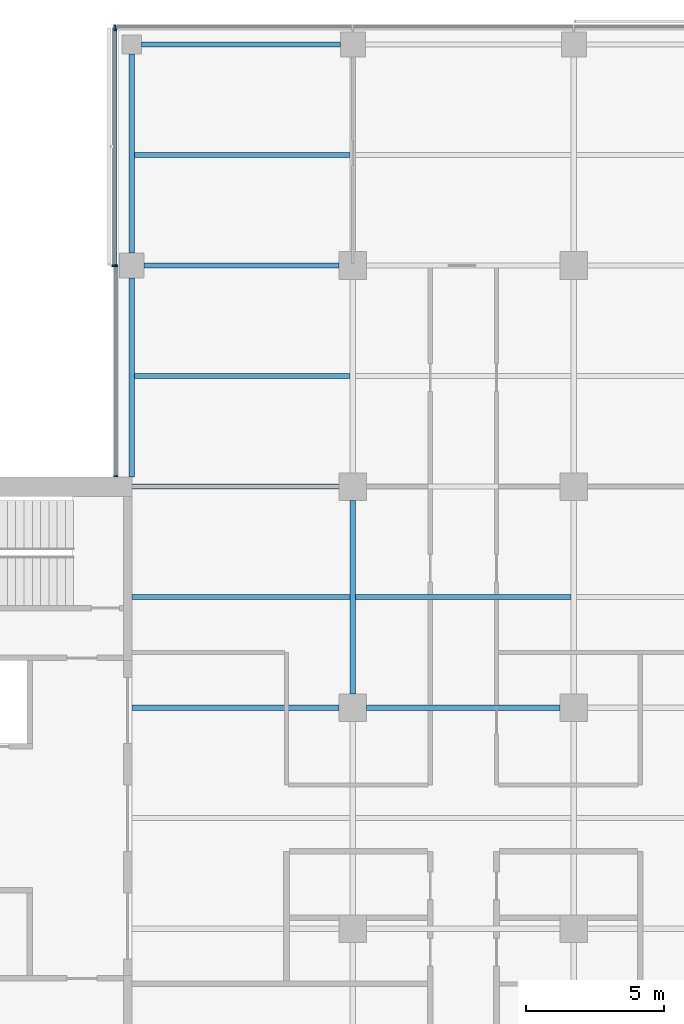
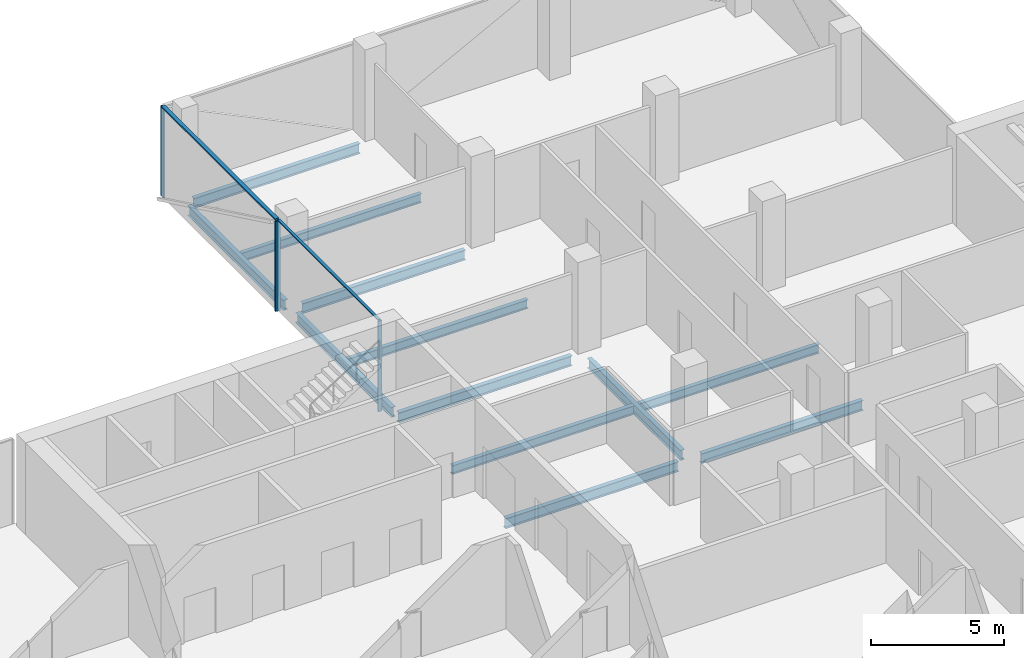
# One storey, part 8 of 22: 12 beams, 6 members, 3 elements without a shape of their own.
"""IFC4 building model written with IfcOpenShell, lengths in metres."""

from ifc_helpers import new_model, si_unit, direction, frame, origin, origin_2d, place, context, subcontext, project, spatial, rectangle, i_section, extrude, material, material_profile, profile_set, type_object, element, aggregate, save


model = new_model("IFC4")

# Units and contexts
model_context = context("Model", 3, precision=1e-05, world=origin(), true_north=direction((0.0, 1.0)))
body_context = subcontext(model_context, "Body", "Model", "MODEL_VIEW")
ifc_project = project(units=[si_unit("LENGTHUNIT", "METRE"), si_unit("AREAUNIT", "SQUARE_METRE"), si_unit("VOLUMEUNIT", "CUBIC_METRE"), si_unit("PLANEANGLEUNIT", "RADIAN"), si_unit("MASSUNIT", "GRAM", prefix="KILO")], contexts=[model_context])

# Site, building, storey
site_placement = place(None, origin())
site = spatial("IfcSite", under=ifc_project, at=site_placement, CompositionType="ELEMENT")
building_placement = place(site_placement, origin())
building = spatial("IfcBuilding", under=site, at=building_placement, Name="Crosswind Convention Tower", CompositionType="ELEMENT")
storey_placement = place(building_placement, frame((0.0, 0.0, 154.699951171875)))
storey = spatial("IfcBuildingStorey", under=building, at=storey_placement, Name="L32", CompositionType="ELEMENT", Elevation=154.699951171875)

# Beams
ifc_material_1 = material(Name="Steel S355", Category="steel")
ifc_material_profile_1 = material_profile(ifc_material_1, i_section(OverallWidth=0.18994140625, OverallDepth=0.45361328125, WebThickness=0.008544921875, FlangeThickness=0.0126953125, FilletRadius=0.01025390625, at=origin_2d()), Name="UB 457x191x67")
ifc_profile_set_1 = profile_set([ifc_material_profile_1], Name="Steel S355")
beam_type_1 = type_object("IfcBeamType", Name="Edge beam UB 457x191x67", PredefinedType="SPANDREL", material=ifc_profile_set_1)
for number, where, z_axis, x_axis, name in (
    (1, (113.0, 112.35009765625, -0.52685546875), (0.0, 1.0, 0.0), (-1.0, 0.0, 0.0), "B16 L32 edge beam 8"),
    (2, (113.0, 120.449951171875, -0.52685546875), (0.0, 1.0, 0.0), (-1.0, 0.0, 0.0), "B16 L32 edge beam 9"),
    (3, (113.35009765625, 128.0, -0.52685546875), (1.0, 0.0, 0.0), (0.0, 1.0, 0.0), "B16 L32 edge beam 11"),
):
    element("IfcBeam", number, at=place(storey_placement, frame(where, z_axis=z_axis, x_axis=x_axis)), inside=storey, type_object=beam_type_1, Name=name, PredefinedType="SPANDREL", context=body_context, shape_type="SweptSolid", body=[
        extrude(i_section(OverallWidth=0.18994140625, OverallDepth=0.45361328125, WebThickness=0.008544921875, FlangeThickness=0.0126953125, FilletRadius=0.01025390625, at=origin_2d()), origin(), (0.0, 0.0, 1.0), 7.199951171875),
    ])
ifc_material_profile_2 = material_profile(ifc_material_1, i_section(OverallWidth=0.19140625, OverallDepth=0.460205078125, WebThickness=0.010009765625, FlangeThickness=0.01611328125, FilletRadius=0.01025390625, at=origin_2d()), Name="UB 457x191x82")
ifc_profile_set_2 = profile_set([ifc_material_profile_2], Name="Steel S355")
beam_type_2 = type_object("IfcBeamType", Name="Girder UB 457x191x82", PredefinedType="BEAM", material=ifc_profile_set_2)
beam_1_placement = place(storey_placement, frame((113.449951171875, 120.0, -0.530029296875), z_axis=(1.0, 0.0, 0.0), x_axis=(0.0, 1.0, 0.0)))
element("IfcBeam", 4, at=beam_1_placement, inside=storey, type_object=beam_type_2, Name="B3 L32 girder 2", PredefinedType="BEAM", context=body_context, shape_type="SweptSolid", body=[
    extrude(i_section(OverallWidth=0.19140625, OverallDepth=0.460205078125, WebThickness=0.010009765625, FlangeThickness=0.01611328125, FilletRadius=0.01025390625, at=origin_2d()), origin(), (0.0, 0.0, 1.0), 7.050048828125),
])
for number, where, z_axis, x_axis, name in (
    (5, (121.0, 104.5, -0.530029296875), (0.0, 1.0, 0.0), (-1.0, 0.0, 0.0), "B3 L32 girder 7"),
    (6, (121.5, 104.0, -0.530029296875), (1.0, 0.0, 0.0), (0.0, 1.0, 0.0), "B3 L32 girder 13"),
):
    element("IfcBeam", number, at=place(storey_placement, frame(where, z_axis=z_axis, x_axis=x_axis)), inside=storey, type_object=beam_type_2, Name=name, PredefinedType="BEAM", context=body_context, shape_type="SweptSolid", body=[
        extrude(i_section(OverallWidth=0.19140625, OverallDepth=0.460205078125, WebThickness=0.010009765625, FlangeThickness=0.01611328125, FilletRadius=0.01025390625, at=origin_2d()), origin(), (0.0, 0.0, 1.0), 7.0),
    ])
ifc_material_profile_3 = material_profile(ifc_material_1, i_section(OverallWidth=0.19189453125, OverallDepth=0.463623046875, WebThickness=0.010498046875, FlangeThickness=0.017578125, FilletRadius=0.01025390625, at=origin_2d()), Name="UB 457x191x90")
ifc_profile_set_3 = profile_set([ifc_material_profile_3], Name="Steel S355")
beam_type_3 = type_object("IfcBeamType", Name="Girder at core wall UB 457x191x90", PredefinedType="BEAM", material=ifc_profile_set_3)
for number, where, z_axis, x_axis, name in (
    (7, (113.0, 104.0, -0.53173828125), (1.0, 0.0, 0.0), (0.0, 1.0, 0.0), "B24 L32 girder at core wall 5"),
    (8, (113.0, 112.0, -0.53173828125), (1.0, 0.0, 0.0), (0.0, 1.0, 0.0), "B24 L32 girder at core wall 6"),
):
    element("IfcBeam", number, at=place(storey_placement, frame(where, z_axis=z_axis, x_axis=x_axis)), inside=storey, type_object=beam_type_3, Name=name, PredefinedType="BEAM", context=body_context, shape_type="SweptSolid", body=[
        extrude(i_section(OverallWidth=0.19189453125, OverallDepth=0.463623046875, WebThickness=0.010498046875, FlangeThickness=0.017578125, FilletRadius=0.01025390625, at=origin_2d()), origin(), (0.0, 0.0, 1.0), 7.5),
    ])

# Curtain wall, members
ifc_material_2 = material(Name="Aluminium unitised curtain wall", Category="aluminium")
curtain_wall_type_1 = type_object("IfcCurtainWallType", Name="CORE END SLOT WALL 160", PredefinedType="USERDEFINED", material=ifc_material_2)
curtain_wall_1_placement = place(storey_placement, origin())
curtain_wall_1 = element("IfcCurtainWall", 9, at=curtain_wall_1_placement, inside=storey, type_object=curtain_wall_type_1, Name="CW6 L32 N-W.1-2 slot", ObjectType="UNITISED", PredefinedType="USERDEFINED")
ifc_material_3 = material(Name="Aluminium mullion", Category="aluminium")
ifc_material_profile_4 = material_profile(ifc_material_3, rectangle(XDim=0.159912109375, YDim=0.050048828125, at=origin_2d()), Name="AL 160X50")
ifc_profile_set_4 = profile_set([ifc_material_profile_4], Name="Aluminium mullion")
member_type_1 = type_object("IfcMemberType", Name="MULLION 50X160", PredefinedType="MULLION", material=ifc_profile_set_4)
member_1_placement = place(storey_placement, frame((112.419921875, 119.97509765625, -0.300048828125), z_axis=(0.0, 0.0, 1.0), x_axis=(-1.0, 0.0, 0.0)))
member_1 = element("IfcMember", 10, at=member_1_placement, type_object=member_type_1, Name="CW6 mullion 1", PredefinedType="MULLION", context=body_context, shape_type="SweptSolid", body=[
    extrude(rectangle(XDim=0.159912109375, YDim=0.050048828125, at=origin_2d()), origin(), (0.0, 0.0, 1.0), 4.150146484375),
])
member_2_placement = place(storey_placement, frame((112.419921875, 112.375, -0.300048828125), z_axis=(0.0, 0.0, 1.0), x_axis=(-1.0, 0.0, 0.0)))
member_2 = element("IfcMember", 11, at=member_2_placement, type_object=member_type_1, Name="CW6 mullion 2", PredefinedType="MULLION", context=body_context, shape_type="SweptSolid", body=[
    extrude(rectangle(XDim=0.159912109375, YDim=0.050048828125, at=origin_2d()), origin(), (0.0, 0.0, 1.0), 4.150146484375),
])

# Curtain wall, member
curtain_wall_type_2 = type_object("IfcCurtainWallType", Name="OFFICE UNITISED WALL 220", PredefinedType="USERDEFINED", material=ifc_material_2)
curtain_wall_2_placement = place(storey_placement, origin())
curtain_wall_2 = element("IfcCurtainWall", 12, at=curtain_wall_2_placement, inside=storey, type_object=curtain_wall_type_2, Name="CW3 L32 N-TIP 1", ObjectType="UNITISED", PredefinedType="USERDEFINED")
ifc_material_profile_5 = material_profile(ifc_material_3, rectangle(XDim=0.219970703125, YDim=0.070068359375, at=origin_2d()), Name="AL 220X70")
ifc_profile_set_5 = profile_set([ifc_material_profile_5], Name="Aluminium mullion")
member_type_2 = type_object("IfcMemberType", Name="MULLION 70X220", PredefinedType="MULLION", material=ifc_profile_set_5)
member_3_placement = place(storey_placement, frame((112.389892578125, 128.610107421875, -0.300048828125), z_axis=(0.0, 0.0, 1.0), x_axis=(0.0, 1.0, 0.0)))
member_3 = element("IfcMember", 13, at=member_3_placement, type_object=member_type_2, Name="CW3 mullion 4", PredefinedType="MULLION", context=body_context, shape_type="SweptSolid", body=[
    extrude(rectangle(XDim=0.219970703125, YDim=0.070068359375, at=origin_2d()), origin(), (0.0, 0.0, 1.0), 4.130126953125),
])
aggregate(curtain_wall_2, [member_3])

curtain_wall_3_placement = place(storey_placement, origin())
curtain_wall_3 = element("IfcCurtainWall", 14, at=curtain_wall_3_placement, inside=storey, type_object=curtain_wall_type_2, Name="CW3 L32 N-W 1", ObjectType="UNITISED", PredefinedType="USERDEFINED")
member_4_placement = place(storey_placement, frame((112.389892578125, 120.0, -0.300048828125), z_axis=(0.0, 0.0, 1.0), x_axis=(-1.0, 0.0, 0.0)))
member_4 = element("IfcMember", 15, at=member_4_placement, type_object=member_type_2, Name="CW3 mullion 2", PredefinedType="MULLION", context=body_context, shape_type="SweptSolid", body=[
    extrude(rectangle(XDim=0.219970703125, YDim=0.070068359375, at=origin_2d()), origin(), (0.0, 0.0, 1.0), 4.130126953125),
])

# Beams
ifc_material_profile_6 = material_profile(ifc_material_1, i_section(OverallWidth=0.177734375, OverallDepth=0.406494140625, WebThickness=0.0078125, FlangeThickness=0.0126953125, FilletRadius=0.01025390625, at=origin_2d()), Name="UB 406x178x60")
ifc_profile_set_6 = profile_set([ifc_material_profile_6], Name="Steel S355")
beam_type_4 = type_object("IfcBeamType", Name="Secondary beam UB 406x178x60", PredefinedType="JOIST", material=ifc_profile_set_6)
beam_2_placement = place(storey_placement, frame((113.0, 108.0, -0.503173828125), z_axis=(1.0, 0.0, 0.0), x_axis=(0.0, 1.0, 0.0)))
element("IfcBeam", 16, at=beam_2_placement, inside=storey, type_object=beam_type_4, Name="B10 L32 secondary beam 6", PredefinedType="JOIST", context=body_context, shape_type="SweptSolid", body=[
    extrude(i_section(OverallWidth=0.177734375, OverallDepth=0.406494140625, WebThickness=0.0078125, FlangeThickness=0.0126953125, FilletRadius=0.01025390625, at=origin_2d()), origin(), (0.0, 0.0, 1.0), 7.904296875),
])
for number, where, z_axis, x_axis, name in (
    (17, (113.094970703125, 116.0, -0.503173828125), (1.0, 0.0, 0.0), (0.0, 1.0, 0.0), "B10 L32 secondary beam 9"),
    (18, (113.094970703125, 124.0, -0.503173828125), (1.0, 0.0, 0.0), (0.0, 1.0, 0.0), "B10 L32 secondary beam 10"),
):
    element("IfcBeam", number, at=place(storey_placement, frame(where, z_axis=z_axis, x_axis=x_axis)), inside=storey, type_object=beam_type_4, Name=name, PredefinedType="JOIST", context=body_context, shape_type="SweptSolid", body=[
        extrude(i_section(OverallWidth=0.177734375, OverallDepth=0.406494140625, WebThickness=0.0078125, FlangeThickness=0.0126953125, FilletRadius=0.01025390625, at=origin_2d()), origin(), (0.0, 0.0, 1.0), 7.809326171875),
    ])
beam_3_placement = place(storey_placement, frame((121.095703125, 108.0, -0.503173828125), z_axis=(1.0, 0.0, 0.0), x_axis=(0.0, 1.0, 0.0)))
element("IfcBeam", 19, at=beam_3_placement, inside=storey, type_object=beam_type_4, Name="B10 L32 secondary beam 15", PredefinedType="JOIST", context=body_context, shape_type="SweptSolid", body=[
    extrude(i_section(OverallWidth=0.177734375, OverallDepth=0.406494140625, WebThickness=0.0078125, FlangeThickness=0.0126953125, FilletRadius=0.01025390625, at=origin_2d()), origin(), (0.0, 0.0, 1.0), 7.80859375),
])

# Member
ifc_material_4 = material(Name="Aluminium transom", Category="aluminium")
ifc_material_profile_7 = material_profile(ifc_material_4, rectangle(XDim=0.1201171875, YDim=0.050048828125, at=origin_2d()), Name="AL 120X50")
ifc_profile_set_7 = profile_set([ifc_material_profile_7], Name="Aluminium transom")
member_type_3 = type_object("IfcMemberType", Name="TRANSOM 50X120", PredefinedType="USERDEFINED", material=ifc_profile_set_7)
member_5_placement = place(storey_placement, frame((112.419921875, 119.949951171875, 3.875), z_axis=(0.0, -1.0, 0.0), x_axis=(1.0, 0.0, 0.0)))
member_5 = element("IfcMember", 20, at=member_5_placement, type_object=member_type_3, Name="CW6 transom", ObjectType="TRANSOM", PredefinedType="USERDEFINED", context=body_context, shape_type="SweptSolid", body=[
    extrude(rectangle(XDim=0.1201171875, YDim=0.050048828125, at=origin_2d()), origin(), (0.0, 0.0, 1.0), 7.550048828125),
])

aggregate(curtain_wall_1, [member_1, member_2, member_5])

ifc_material_profile_8 = material_profile(ifc_material_4, rectangle(XDim=0.159912109375, YDim=0.070068359375, at=origin_2d()), Name="AL 160X70")
ifc_profile_set_8 = profile_set([ifc_material_profile_8], Name="Aluminium transom")
member_type_4 = type_object("IfcMemberType", Name="TRANSOM 70X160", PredefinedType="USERDEFINED", material=ifc_profile_set_8)
member_6_placement = place(storey_placement, frame((112.389892578125, 128.574951171875, 3.864990234375), z_axis=(0.0, -1.0, 0.0), x_axis=(1.0, 0.0, 0.0)))
member_6 = element("IfcMember", 21, at=member_6_placement, type_object=member_type_4, Name="CW3 transom", ObjectType="TRANSOM", PredefinedType="USERDEFINED", context=body_context, shape_type="SweptSolid", body=[
    extrude(rectangle(XDim=0.159912109375, YDim=0.070068359375, at=origin_2d()), origin(), (0.0, 0.0, 1.0), 8.5400390625),
])

aggregate(curtain_wall_3, [member_4, member_6])

save(model, "model.ifc")
